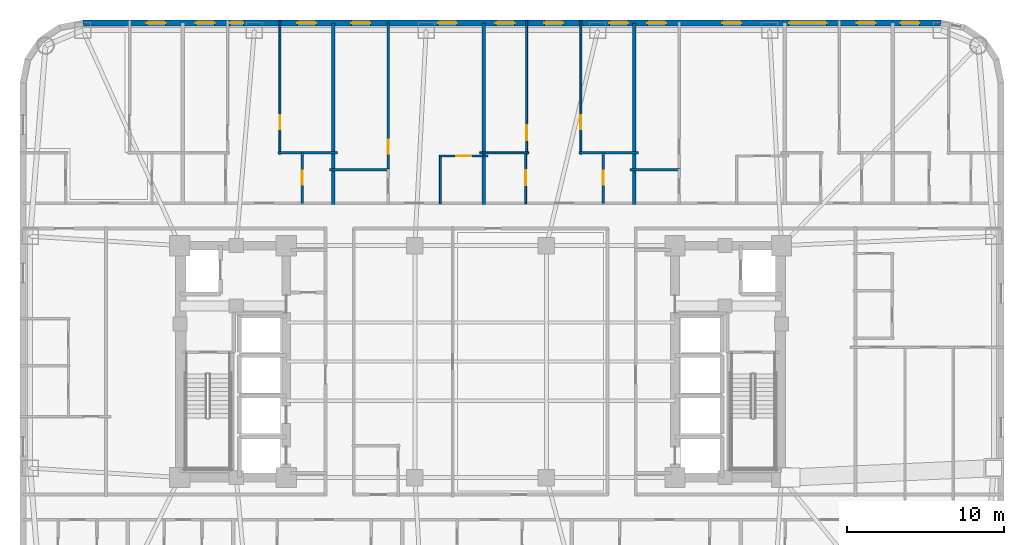
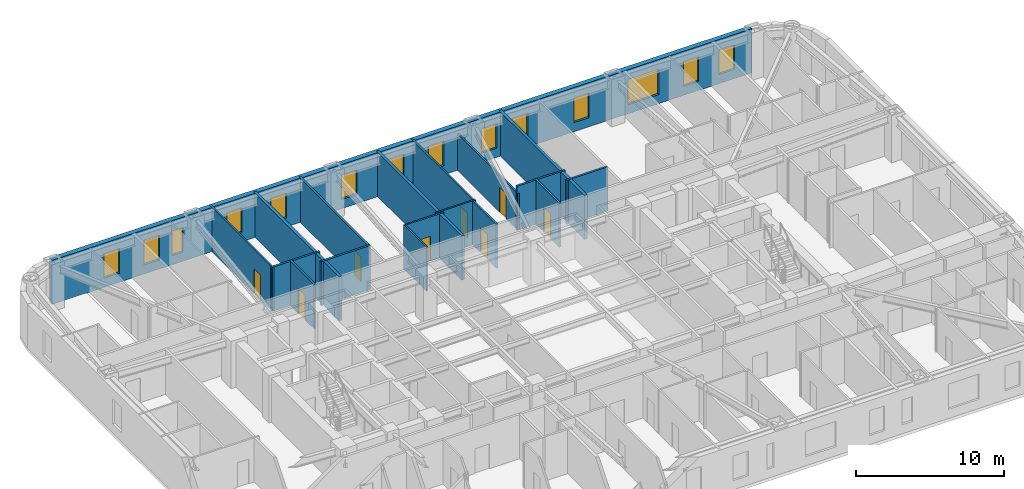
# One storey, part 8 of 12: 18 walls, 14 windows, 8 doors, 22 openings.
"""IFC4 building model written with IfcOpenShell, lengths in metres."""

import ifcopenshell
import ifcopenshell.guid

model = None  # the IFC model being written
_history = None  # IfcOwnerHistory: only IFC2X3 demands one
_inside = {}  # id of a spatial element -> (the spatial element, [elements in it])
_under = {}  # id of a project, library or spatial element -> (it, [spatial elements below it])
_declared = {}  # id of a project -> (the project, [libraries it declares])
_typed = {}  # id of a type object -> (the type object, [elements of that type])
_made_of = {}  # id of a material, layer set ... -> (it, [elements and type objects made of it])


def new_model(schema):
    """Start an empty IFC model of exactly this schema.

    Asked for "IFC4X3", IfcOpenShell would pick the latest addendum, in which some entities
    have other attributes; the version numbers below select the first issue.
    IFC2X3 requires an IfcOwnerHistory on every rooted entity: one is made here for all.
    """
    global model, _history
    if schema == "IFC4X3":
        model = ifcopenshell.file(schema_version=(4, 3, 0, 0))
    else:
        model = ifcopenshell.file(schema=schema)
    _inside.clear()
    _under.clear()
    _declared.clear()
    _typed.clear()
    _made_of.clear()
    _history = None
    if model.schema == "IFC2X3":
        org = make("IfcOrganization", Name="unknown")
        user = make(
            "IfcPersonAndOrganization",
            ThePerson=make("IfcPerson", FamilyName="unknown"),
            TheOrganization=org,
        )
        app = make(
            "IfcApplication",
            ApplicationDeveloper=org,
            Version="unknown",
            ApplicationFullName="unknown",
            ApplicationIdentifier="unknown",
        )
        _history = make(
            "IfcOwnerHistory",
            OwningUser=user,
            OwningApplication=app,
            ChangeAction="ADDED",
            CreationDate=0,
        )
    return model


def make(cls, **values):
    """One entity of the class cls with the attributes given. An attribute that is None is left unset."""
    return model.create_entity(
        cls, **{name: value for name, value in values.items() if value is not None}
    )


def rooted(cls, **values):
    """An entity with a GlobalId (a new one), such as an element, a storey or a relation."""
    return make(cls, GlobalId=ifcopenshell.guid.new(), OwnerHistory=_history, **values)


def si_unit(unit_type, name, prefix=None):
    """IfcSIUnit, for example si_unit("LENGTHUNIT", "METRE", prefix="MILLI")."""
    return make("IfcSIUnit", UnitType=unit_type, Prefix=prefix, Name=name)


def assignment(units):
    """IfcUnitAssignment: the units of a project."""
    return None if units is None else make("IfcUnitAssignment", Units=units)


def point(xyz):
    """IfcCartesianPoint."""
    return None if xyz is None else make("IfcCartesianPoint", Coordinates=xyz)


def direction(xyz):
    """IfcDirection."""
    return None if xyz is None else make("IfcDirection", DirectionRatios=xyz)


def frame(location, z_axis=None, x_axis=None):
    """IfcAxis2Placement3D, a coordinate frame: its origin and axes. An axis left out is left unset."""
    return make(
        "IfcAxis2Placement3D",
        Location=point(location),
        Axis=direction(z_axis),
        RefDirection=direction(x_axis),
    )


def frame_2d(location, x_axis=None):
    """IfcAxis2Placement2D, a coordinate frame in the plane: its origin and x axis."""
    return make(
        "IfcAxis2Placement2D", Location=point(location), RefDirection=direction(x_axis)
    )


def origin():
    """The frame at (0, 0, 0) with its axes left unset."""
    return frame((0.0, 0.0, 0.0))


def place(relative_to, where):
    """IfcLocalPlacement: puts the frame where relative to a parent placement (None: the world)."""
    return make(
        "IfcLocalPlacement", PlacementRelTo=relative_to, RelativePlacement=where
    )


def context(
    kind, dimensions, precision=None, world=None, true_north=None, identifier=None
):
    """IfcGeometricRepresentationContext, for example the 3D "Model" context."""
    return make(
        "IfcGeometricRepresentationContext",
        ContextIdentifier=identifier,
        ContextType=kind,
        CoordinateSpaceDimension=dimensions,
        Precision=precision,
        WorldCoordinateSystem=world,
        TrueNorth=true_north,
    )


def subcontext(parent, identifier, kind, view, scale=None):
    """IfcGeometricRepresentationSubContext, for example "Body" below "Model"."""
    return make(
        "IfcGeometricRepresentationSubContext",
        ContextIdentifier=identifier,
        ContextType=kind,
        ParentContext=parent,
        TargetScale=scale,
        TargetView=view,
    )


def project(units=None, contexts=None):
    """IfcProject with its units and contexts."""
    return rooted(
        "IfcProject",
        Name="project",
        RepresentationContexts=contexts,
        UnitsInContext=assignment(units),
    )


def spatial(cls, under=None, at=None, **own):
    """A site, building, storey or space (cls), placed at a placement, below another one or the project."""
    s = rooted(cls, ObjectPlacement=at, **own)
    if under is not None:
        _under.setdefault(under.id(), (under, []))[1].append(s)
    return s


def profile(cls, at=None, kind="AREA", **sizes):
    """A parametric profile (cls). Its sizes go by their IFC names, for example OverallWidth=200.0."""
    return make(cls, ProfileType=kind, Position=at, **sizes)


def rectangle(**sizes):
    """IfcRectangleProfileDef."""
    return profile("IfcRectangleProfileDef", **sizes)


def extrude(swept, where, along, depth):
    """IfcExtrudedAreaSolid: the profile swept, set in the frame where, extruded along a direction by depth."""
    return make(
        "IfcExtrudedAreaSolid",
        SweptArea=swept,
        Position=where,
        ExtrudedDirection=direction(along),
        Depth=depth,
    )


def shape(context_of_items, identifier, shape_type, items):
    """IfcShapeRepresentation: the items that make up one representation, for example the "Body"."""
    return make(
        "IfcShapeRepresentation",
        ContextOfItems=context_of_items,
        RepresentationIdentifier=identifier,
        RepresentationType=shape_type,
        Items=items,
    )


def material(Name=None, Category=None):
    """IfcMaterial."""
    return make("IfcMaterial", Name=Name, Category=Category)


def layer(
    of_material, thickness, ventilated=None, Name=None, Category=None, Priority=None
):
    """IfcMaterialLayer: one layer of a wall or slab, of a material (None: an air gap)."""
    return make(
        "IfcMaterialLayer",
        Material=of_material,
        LayerThickness=thickness,
        IsVentilated=ventilated,
        Name=Name,
        Category=Category,
        Priority=Priority,
    )


def layer_set(layers, Name=None):
    """IfcMaterialLayerSet."""
    return make("IfcMaterialLayerSet", MaterialLayers=layers, LayerSetName=Name)


def made_of(thing, what):
    """Note that an element or type object is made of a material, layer set ...; save() writes the relation."""
    if what is not None:
        _made_of.setdefault(what.id(), (what, []))[1].append(thing)
    return thing


def type_object(cls, material=None, **own):
    """A type object (cls), such as IfcWallType, which elements share."""
    return made_of(rooted(cls, **own), material)


def element(
    cls,
    number,
    at=None,
    inside=None,
    cuts=None,
    type_object=None,
    material=None,
    context=None,
    identifier="Body",
    shape_type=None,
    held_by="IfcProductDefinitionShape",
    body=None,
    shapes=None,
    **own,
):
    """One element of the class cls, such as IfcWall. Its Tag is "e" and its number.

    at: its placement. inside: the storey or other place that contains it. cuts: it is an
    opening in that element (IfcRelVoidsElement). A single representation is given by context,
    identifier, shape_type and body (its items); several are given by shapes. held_by: the class
    of the entity that holds the representations. save() writes the other relations.
    """
    e = rooted(cls, Tag="e%d" % number, ObjectPlacement=at, **own)
    if body is not None:
        shapes = [shape(context, identifier, shape_type, body)]
    if shapes is not None:
        e.Representation = make(held_by, Representations=shapes)
    if inside is not None:
        _inside.setdefault(inside.id(), (inside, []))[1].append(e)
    if cuts is not None:
        rooted(
            "IfcRelVoidsElement", RelatingBuildingElement=cuts, RelatedOpeningElement=e
        )
    if type_object is not None:
        _typed.setdefault(type_object.id(), (type_object, []))[1].append(e)
    return made_of(e, material)


def fill(opening, filler):
    """IfcRelFillsElement: the door or window that sits in an opening."""
    return rooted(
        "IfcRelFillsElement",
        RelatingOpeningElement=opening,
        RelatedBuildingElement=filler,
    )


def aggregate(whole, parts):
    """IfcRelAggregates: a whole, such as a stair, and the parts it consists of."""
    return rooted("IfcRelAggregates", RelatingObject=whole, RelatedObjects=parts)


def save(model, path):
    """Write the relations noted so far, then the file.

    IfcRelAggregates (storeys below a building ...), IfcRelContainedInSpatialStructure (elements
    in a storey), IfcRelDefinesByType, IfcRelAssociatesMaterial and IfcRelDeclares: one each for
    every whole, place, type object, material and project.
    """
    for whole, parts in _under.values():
        aggregate(whole, parts)
    for where, things in _inside.values():
        rooted(
            "IfcRelContainedInSpatialStructure",
            RelatedElements=things,
            RelatingStructure=where,
        )
    for kind, things in _typed.values():
        rooted("IfcRelDefinesByType", RelatedObjects=things, RelatingType=kind)
    for what, things in _made_of.values():
        rooted("IfcRelAssociatesMaterial", RelatedObjects=things, RelatingMaterial=what)
    for by, libraries in _declared.values():
        rooted("IfcRelDeclares", RelatingContext=by, RelatedDefinitions=libraries)
    model.write(path)


model = new_model("IFC4")

# Units and contexts
model_context = context("Model", 3, precision=1e-05, world=origin(), true_north=direction((0.0, 1.0)))
body_context = subcontext(model_context, "Body", "Model", "MODEL_VIEW")
ifc_project = project(units=[si_unit("LENGTHUNIT", "METRE"), si_unit("AREAUNIT", "SQUARE_METRE"), si_unit("VOLUMEUNIT", "CUBIC_METRE"), si_unit("PLANEANGLEUNIT", "RADIAN"), si_unit("MASSUNIT", "GRAM", prefix="KILO")], contexts=[model_context])

# Site, building, storey
site_placement = place(None, origin())
site = spatial("IfcSite", under=ifc_project, at=site_placement, CompositionType="ELEMENT")
building_placement = place(site_placement, origin())
building = spatial("IfcBuilding", under=site, at=building_placement, Name="Voryun Gate Residences", CompositionType="ELEMENT")
storey_placement = place(building_placement, frame((0.0, 0.0, 101.39990234375)))
storey = spatial("IfcBuildingStorey", under=building, at=storey_placement, Name="L24", CompositionType="ELEMENT", Elevation=101.39990234375)

# Wall, openings, windows
ifc_material_1 = material(Name="Granite masonry", Category="masonry")
ifc_layer_1 = layer(ifc_material_1, 0.3798828125, Name="W_EXT_GRANITE_380")
ifc_layer_set_1 = layer_set([ifc_layer_1], Name="Granite masonry")
wall_type_1 = type_object("IfcWallType", Name="W_EXT_GRANITE_380", PredefinedType="ELEMENTEDWALL", material=ifc_layer_set_1)
wall_1_placement = place(storey_placement, frame((-25.38134765625, 21.610107421875, 0.0), z_axis=(0.0, 0.0, 1.0), x_axis=(1.0, 0.0, 0.0)))
wall_1 = element("IfcWall", 1, at=wall_1_placement, inside=storey, type_object=wall_type_1, Name="Exterior wall WEXT-L24-11", PredefinedType="ELEMENTEDWALL", context=body_context, shape_type="SweptSolid", body=[
    extrude(rectangle(XDim=54.7626953125, YDim=0.3798828125, at=frame_2d((27.38134765625, 0.0))), origin(), (0.0, 0.0, 1.0), 3.650146484375),
])
opening_1_placement = place(wall_1_placement, frame((45.0673828125, 0.0, 0.75)))
opening_1 = element("IfcOpeningElement", 2, at=opening_1_placement, cuts=wall_1, Name="Opening WN2", PredefinedType="OPENING", context=body_context, shape_type="SweptSolid", body=[
    extrude(rectangle(XDim=2.39990234375, YDim=2.10009765625, at=frame_2d((1.199951171875, 1.050048828125))), frame((0.0, 0.199951171875, 0.0), z_axis=(0.0, -1.0, 0.0), x_axis=(1.0, 0.0, 0.0)), (0.0, 0.0, 1.0), 0.39990234375),
])
opening_2_placement = place(wall_1_placement, frame((4.076416015625, 0.0, 0.75)))
opening_2 = element("IfcOpeningElement", 3, at=opening_2_placement, cuts=wall_1, Name="Opening WN6", PredefinedType="OPENING", context=body_context, shape_type="SweptSolid", body=[
    extrude(rectangle(XDim=1.199951171875, YDim=2.050048828125, at=frame_2d((0.60009765625, 1.02490234375))), frame((0.0, 0.199951171875, 0.0), z_axis=(0.0, -1.0, 0.0), x_axis=(1.0, 0.0, 0.0)), (0.0, 0.0, 1.0), 0.39990234375),
])
opening_3_placement = place(wall_1_placement, frame((9.394775390625, 0.0, 0.75)))
opening_3 = element("IfcOpeningElement", 4, at=opening_3_placement, cuts=wall_1, Name="Opening WN9", PredefinedType="OPENING", context=body_context, shape_type="SweptSolid", body=[
    extrude(rectangle(XDim=0.85009765625, YDim=2.050048828125, at=frame_2d((0.425048828125, 1.02490234375))), frame((0.0, 0.199951171875, 0.0), z_axis=(0.0, -1.0, 0.0), x_axis=(1.0, 0.0, 0.0)), (0.0, 0.0, 1.0), 0.39990234375),
])
opening_4_placement = place(wall_1_placement, frame((7.204833984375, 0.0, 0.75)))
opening_4 = element("IfcOpeningElement", 5, at=opening_4_placement, cuts=wall_1, Name="Opening WN6", PredefinedType="OPENING", context=body_context, shape_type="SweptSolid", body=[
    extrude(rectangle(XDim=1.199951171875, YDim=2.050048828125, at=frame_2d((0.60009765625, 1.02490234375))), frame((0.0, 0.199951171875, 0.0), z_axis=(0.0, -1.0, 0.0), x_axis=(1.0, 0.0, 0.0)), (0.0, 0.0, 1.0), 0.39990234375),
])
opening_5_placement = place(wall_1_placement, frame((13.67626953125, 0.0, 0.75)))
opening_5 = element("IfcOpeningElement", 6, at=opening_5_placement, cuts=wall_1, Name="Opening WN6", PredefinedType="OPENING", context=body_context, shape_type="SweptSolid", body=[
    extrude(rectangle(XDim=1.199951171875, YDim=2.050048828125, at=frame_2d((0.60009765625, 1.02490234375))), frame((0.0, 0.199951171875, 0.0), z_axis=(0.0, -1.0, 0.0), x_axis=(1.0, 0.0, 0.0)), (0.0, 0.0, 1.0), 0.39990234375),
])
opening_6_placement = place(wall_1_placement, frame((17.13623046875, 0.0, 0.75)))
opening_6 = element("IfcOpeningElement", 7, at=opening_6_placement, cuts=wall_1, Name="Opening WN6", PredefinedType="OPENING", context=body_context, shape_type="SweptSolid", body=[
    extrude(rectangle(XDim=1.199951171875, YDim=2.050048828125, at=frame_2d((0.60009765625, 1.02490234375))), frame((0.0, 0.199951171875, 0.0), z_axis=(0.0, -1.0, 0.0), x_axis=(1.0, 0.0, 0.0)), (0.0, 0.0, 1.0), 0.39990234375),
])
opening_7_placement = place(wall_1_placement, frame((22.65625, 0.0, 0.75)))
opening_7 = element("IfcOpeningElement", 8, at=opening_7_placement, cuts=wall_1, Name="Opening WN6", PredefinedType="OPENING", context=body_context, shape_type="SweptSolid", body=[
    extrude(rectangle(XDim=1.199951171875, YDim=2.050048828125, at=frame_2d((0.60009765625, 1.02490234375))), frame((0.0, 0.199951171875, 0.0), z_axis=(0.0, -1.0, 0.0), x_axis=(1.0, 0.0, 0.0)), (0.0, 0.0, 1.0), 0.39990234375),
])
opening_8_placement = place(wall_1_placement, frame((29.44287109375, 0.0, 0.75)))
opening_8 = element("IfcOpeningElement", 9, at=opening_8_placement, cuts=wall_1, Name="Opening WN6", PredefinedType="OPENING", context=body_context, shape_type="SweptSolid", body=[
    extrude(rectangle(XDim=1.199951171875, YDim=2.050048828125, at=frame_2d((0.60009765625, 1.02490234375))), frame((0.0, 0.199951171875, 0.0), z_axis=(0.0, -1.0, 0.0), x_axis=(1.0, 0.0, 0.0)), (0.0, 0.0, 1.0), 0.39990234375),
])
opening_9_placement = place(wall_1_placement, frame((26.347900390625, 0.0, 0.75)))
opening_9 = element("IfcOpeningElement", 10, at=opening_9_placement, cuts=wall_1, Name="Opening WN6", PredefinedType="OPENING", context=body_context, shape_type="SweptSolid", body=[
    extrude(rectangle(XDim=1.199951171875, YDim=2.050048828125, at=frame_2d((0.60009765625, 1.02490234375))), frame((0.0, 0.199951171875, 0.0), z_axis=(0.0, -1.0, 0.0), x_axis=(1.0, 0.0, 0.0)), (0.0, 0.0, 1.0), 0.39990234375),
])
opening_10_placement = place(wall_1_placement, frame((33.59619140625, 0.0, 0.75)))
opening_10 = element("IfcOpeningElement", 11, at=opening_10_placement, cuts=wall_1, Name="Opening WN6", PredefinedType="OPENING", context=body_context, shape_type="SweptSolid", body=[
    extrude(rectangle(XDim=1.199951171875, YDim=2.050048828125, at=frame_2d((0.60009765625, 1.02490234375))), frame((0.0, 0.199951171875, 0.0), z_axis=(0.0, -1.0, 0.0), x_axis=(1.0, 0.0, 0.0)), (0.0, 0.0, 1.0), 0.39990234375),
])
opening_11_placement = place(wall_1_placement, frame((36.014404296875, 0.0, 0.75)))
opening_11 = element("IfcOpeningElement", 12, at=opening_11_placement, cuts=wall_1, Name="Opening WN6", PredefinedType="OPENING", context=body_context, shape_type="SweptSolid", body=[
    extrude(rectangle(XDim=1.199951171875, YDim=2.050048828125, at=frame_2d((0.60009765625, 1.02490234375))), frame((0.0, 0.199951171875, 0.0), z_axis=(0.0, -1.0, 0.0), x_axis=(1.0, 0.0, 0.0)), (0.0, 0.0, 1.0), 0.39990234375),
])
opening_12_placement = place(wall_1_placement, frame((40.814208984375, 0.0, 0.75)))
opening_12 = element("IfcOpeningElement", 13, at=opening_12_placement, cuts=wall_1, Name="Opening WN6", PredefinedType="OPENING", context=body_context, shape_type="SweptSolid", body=[
    extrude(rectangle(XDim=1.199951171875, YDim=2.050048828125, at=frame_2d((0.60009765625, 1.02490234375))), frame((0.0, 0.199951171875, 0.0), z_axis=(0.0, -1.0, 0.0), x_axis=(1.0, 0.0, 0.0)), (0.0, 0.0, 1.0), 0.39990234375),
])
opening_13_placement = place(wall_1_placement, frame((49.38525390625, 0.0, 0.75)))
opening_13 = element("IfcOpeningElement", 14, at=opening_13_placement, cuts=wall_1, Name="Opening WN6", PredefinedType="OPENING", context=body_context, shape_type="SweptSolid", body=[
    extrude(rectangle(XDim=1.199951171875, YDim=2.050048828125, at=frame_2d((0.60009765625, 1.02490234375))), frame((0.0, 0.199951171875, 0.0), z_axis=(0.0, -1.0, 0.0), x_axis=(1.0, 0.0, 0.0)), (0.0, 0.0, 1.0), 0.39990234375),
])
opening_14_placement = place(wall_1_placement, frame((52.181396484375, 0.0, 0.75)))
opening_14 = element("IfcOpeningElement", 15, at=opening_14_placement, cuts=wall_1, Name="Opening WN6", PredefinedType="OPENING", context=body_context, shape_type="SweptSolid", body=[
    extrude(rectangle(XDim=1.199951171875, YDim=2.050048828125, at=frame_2d((0.60009765625, 1.02490234375))), frame((0.0, 0.199951171875, 0.0), z_axis=(0.0, -1.0, 0.0), x_axis=(1.0, 0.0, 0.0)), (0.0, 0.0, 1.0), 0.39990234375),
])
ifc_material_2 = material(Name="Laminated low-E glass", Category="glass")
window_type_1 = type_object("IfcWindowType", Name="WN_POD_SLOT_1200", PartitioningType="SINGLE_PANEL", PredefinedType="WINDOW", material=ifc_material_2)
window_1_placement = place(opening_2_placement, origin())
window_1 = element("IfcWindow", 16, at=window_1_placement, inside=storey, type_object=window_type_1, Name="Window WN-L24-DWFIX-02", OverallHeight=2.050048828125, OverallWidth=1.199951171875, PartitioningType="SINGLE_PANEL", PredefinedType="WINDOW", context=body_context, shape_type="SweptSolid", body=[
    extrude(rectangle(XDim=1.199951171875, YDim=2.050048828125, at=frame_2d((0.60009765625, 1.02490234375))), frame((0.0, 0.030029296875, 0.0), z_axis=(0.0, -1.0, 0.0), x_axis=(1.0, 0.0, 0.0)), (0.0, 0.0, 1.0), 0.06005859375),
])
fill(opening_2, window_1)
window_2_placement = place(opening_4_placement, origin())
window_2 = element("IfcWindow", 17, at=window_2_placement, inside=storey, type_object=window_type_1, Name="Window WN-L24-DWFIX-04", OverallHeight=2.050048828125, OverallWidth=1.199951171875, PartitioningType="SINGLE_PANEL", PredefinedType="WINDOW", context=body_context, shape_type="SweptSolid", body=[
    extrude(rectangle(XDim=1.199951171875, YDim=2.050048828125, at=frame_2d((0.60009765625, 1.02490234375))), frame((0.0, 0.030029296875, 0.0), z_axis=(0.0, -1.0, 0.0), x_axis=(1.0, 0.0, 0.0)), (0.0, 0.0, 1.0), 0.06005859375),
])
fill(opening_4, window_2)
window_3_placement = place(opening_5_placement, origin())
window_3 = element("IfcWindow", 18, at=window_3_placement, inside=storey, type_object=window_type_1, Name="Window WN-L24-DWFIX-05", OverallHeight=2.050048828125, OverallWidth=1.199951171875, PartitioningType="SINGLE_PANEL", PredefinedType="WINDOW", context=body_context, shape_type="SweptSolid", body=[
    extrude(rectangle(XDim=1.199951171875, YDim=2.050048828125, at=frame_2d((0.60009765625, 1.02490234375))), frame((0.0, 0.030029296875, 0.0), z_axis=(0.0, -1.0, 0.0), x_axis=(1.0, 0.0, 0.0)), (0.0, 0.0, 1.0), 0.06005859375),
])
fill(opening_5, window_3)
window_4_placement = place(opening_6_placement, origin())
window_4 = element("IfcWindow", 19, at=window_4_placement, inside=storey, type_object=window_type_1, Name="Window WN-L24-DWFIX-06", OverallHeight=2.050048828125, OverallWidth=1.199951171875, PartitioningType="SINGLE_PANEL", PredefinedType="WINDOW", context=body_context, shape_type="SweptSolid", body=[
    extrude(rectangle(XDim=1.199951171875, YDim=2.050048828125, at=frame_2d((0.60009765625, 1.02490234375))), frame((0.0, 0.030029296875, 0.0), z_axis=(0.0, -1.0, 0.0), x_axis=(1.0, 0.0, 0.0)), (0.0, 0.0, 1.0), 0.06005859375),
])
fill(opening_6, window_4)
window_5_placement = place(opening_7_placement, origin())
window_5 = element("IfcWindow", 20, at=window_5_placement, inside=storey, type_object=window_type_1, Name="Window WN-L24-DWFIX-07", OverallHeight=2.050048828125, OverallWidth=1.199951171875, PartitioningType="SINGLE_PANEL", PredefinedType="WINDOW", context=body_context, shape_type="SweptSolid", body=[
    extrude(rectangle(XDim=1.199951171875, YDim=2.050048828125, at=frame_2d((0.60009765625, 1.02490234375))), frame((0.0, 0.030029296875, 0.0), z_axis=(0.0, -1.0, 0.0), x_axis=(1.0, 0.0, 0.0)), (0.0, 0.0, 1.0), 0.06005859375),
])
fill(opening_7, window_5)
window_6_placement = place(opening_8_placement, origin())
window_6 = element("IfcWindow", 21, at=window_6_placement, inside=storey, type_object=window_type_1, Name="Window WN-L24-DWFIX-08", OverallHeight=2.050048828125, OverallWidth=1.199951171875, PartitioningType="SINGLE_PANEL", PredefinedType="WINDOW", context=body_context, shape_type="SweptSolid", body=[
    extrude(rectangle(XDim=1.199951171875, YDim=2.050048828125, at=frame_2d((0.60009765625, 1.02490234375))), frame((0.0, 0.030029296875, 0.0), z_axis=(0.0, -1.0, 0.0), x_axis=(1.0, 0.0, 0.0)), (0.0, 0.0, 1.0), 0.06005859375),
])
fill(opening_8, window_6)
window_7_placement = place(opening_9_placement, origin())
window_7 = element("IfcWindow", 22, at=window_7_placement, inside=storey, type_object=window_type_1, Name="Window WN-L24-DWFIX-09", OverallHeight=2.050048828125, OverallWidth=1.199951171875, PartitioningType="SINGLE_PANEL", PredefinedType="WINDOW", context=body_context, shape_type="SweptSolid", body=[
    extrude(rectangle(XDim=1.199951171875, YDim=2.050048828125, at=frame_2d((0.60009765625, 1.02490234375))), frame((0.0, 0.030029296875, 0.0), z_axis=(0.0, -1.0, 0.0), x_axis=(1.0, 0.0, 0.0)), (0.0, 0.0, 1.0), 0.06005859375),
])
fill(opening_9, window_7)
window_8_placement = place(opening_10_placement, origin())
window_8 = element("IfcWindow", 23, at=window_8_placement, inside=storey, type_object=window_type_1, Name="Window WN-L24-DWFIX-10", OverallHeight=2.050048828125, OverallWidth=1.199951171875, PartitioningType="SINGLE_PANEL", PredefinedType="WINDOW", context=body_context, shape_type="SweptSolid", body=[
    extrude(rectangle(XDim=1.199951171875, YDim=2.050048828125, at=frame_2d((0.60009765625, 1.02490234375))), frame((0.0, 0.030029296875, 0.0), z_axis=(0.0, -1.0, 0.0), x_axis=(1.0, 0.0, 0.0)), (0.0, 0.0, 1.0), 0.06005859375),
])
fill(opening_10, window_8)
window_9_placement = place(opening_11_placement, origin())
window_9 = element("IfcWindow", 24, at=window_9_placement, inside=storey, type_object=window_type_1, Name="Window WN-L24-DWFIX-11", OverallHeight=2.050048828125, OverallWidth=1.199951171875, PartitioningType="SINGLE_PANEL", PredefinedType="WINDOW", context=body_context, shape_type="SweptSolid", body=[
    extrude(rectangle(XDim=1.199951171875, YDim=2.050048828125, at=frame_2d((0.60009765625, 1.02490234375))), frame((0.0, 0.030029296875, 0.0), z_axis=(0.0, -1.0, 0.0), x_axis=(1.0, 0.0, 0.0)), (0.0, 0.0, 1.0), 0.06005859375),
])
fill(opening_11, window_9)
window_10_placement = place(opening_12_placement, origin())
window_10 = element("IfcWindow", 25, at=window_10_placement, inside=storey, type_object=window_type_1, Name="Window WN-L24-DWFIX-12", OverallHeight=2.050048828125, OverallWidth=1.199951171875, PartitioningType="SINGLE_PANEL", PredefinedType="WINDOW", context=body_context, shape_type="SweptSolid", body=[
    extrude(rectangle(XDim=1.199951171875, YDim=2.050048828125, at=frame_2d((0.60009765625, 1.02490234375))), frame((0.0, 0.030029296875, 0.0), z_axis=(0.0, -1.0, 0.0), x_axis=(1.0, 0.0, 0.0)), (0.0, 0.0, 1.0), 0.06005859375),
])
fill(opening_12, window_10)
window_11_placement = place(opening_13_placement, origin())
window_11 = element("IfcWindow", 26, at=window_11_placement, inside=storey, type_object=window_type_1, Name="Window WN-L24-DWFIX-13", OverallHeight=2.050048828125, OverallWidth=1.199951171875, PartitioningType="SINGLE_PANEL", PredefinedType="WINDOW", context=body_context, shape_type="SweptSolid", body=[
    extrude(rectangle(XDim=1.199951171875, YDim=2.050048828125, at=frame_2d((0.60009765625, 1.02490234375))), frame((0.0, 0.030029296875, 0.0), z_axis=(0.0, -1.0, 0.0), x_axis=(1.0, 0.0, 0.0)), (0.0, 0.0, 1.0), 0.06005859375),
])
fill(opening_13, window_11)
window_12_placement = place(opening_14_placement, origin())
window_12 = element("IfcWindow", 27, at=window_12_placement, inside=storey, type_object=window_type_1, Name="Window WN-L24-DWFIX-14", OverallHeight=2.050048828125, OverallWidth=1.199951171875, PartitioningType="SINGLE_PANEL", PredefinedType="WINDOW", context=body_context, shape_type="SweptSolid", body=[
    extrude(rectangle(XDim=1.199951171875, YDim=2.050048828125, at=frame_2d((0.60009765625, 1.02490234375))), frame((0.0, 0.030029296875, 0.0), z_axis=(0.0, -1.0, 0.0), x_axis=(1.0, 0.0, 0.0)), (0.0, 0.0, 1.0), 0.06005859375),
])
fill(opening_14, window_12)
ifc_material_3 = material(Name="Laminated low-E glass", Category="glass")
window_type_2 = type_object("IfcWindowType", Name="WN_RES_CASEMENT_850", PartitioningType="SINGLE_PANEL", PredefinedType="WINDOW", material=ifc_material_3)
window_13_placement = place(opening_3_placement, origin())
window_13 = element("IfcWindow", 28, at=window_13_placement, inside=storey, type_object=window_type_2, Name="Window WN-L24-DWFIX-03", OverallHeight=2.050048828125, OverallWidth=0.85009765625, PartitioningType="SINGLE_PANEL", PredefinedType="WINDOW", context=body_context, shape_type="SweptSolid", body=[
    extrude(rectangle(XDim=0.85009765625, YDim=2.050048828125, at=frame_2d((0.425048828125, 1.02490234375))), frame((0.0, 0.030029296875, 0.0), z_axis=(0.0, -1.0, 0.0), x_axis=(1.0, 0.0, 0.0)), (0.0, 0.0, 1.0), 0.06005859375),
])
fill(opening_3, window_13)
ifc_material_4 = material(Name="Laminated low-E glass", Category="glass")
window_type_3 = type_object("IfcWindowType", Name="WN_RES_WIDE_2400", PartitioningType="SINGLE_PANEL", PredefinedType="WINDOW", material=ifc_material_4)
window_14_placement = place(opening_1_placement, origin())
window_14 = element("IfcWindow", 29, at=window_14_placement, inside=storey, type_object=window_type_3, Name="Window WN-WEXT-L24-11-04", OverallHeight=2.10009765625, OverallWidth=2.39990234375, PartitioningType="SINGLE_PANEL", PredefinedType="WINDOW", context=body_context, shape_type="SweptSolid", body=[
    extrude(rectangle(XDim=2.39990234375, YDim=2.10009765625, at=frame_2d((1.199951171875, 1.050048828125))), frame((0.0, 0.030029296875, 0.0), z_axis=(0.0, -1.0, 0.0), x_axis=(1.0, 0.0, 0.0)), (0.0, 0.0, 1.0), 0.06005859375),
])
fill(opening_1, window_14)

# Walls
ifc_material_5 = material(Name="Concrete C40/50", Category="concrete")
ifc_layer_2 = layer(ifc_material_5, 0.219970703125, Name="W_PARTY_ACOUSTIC_220")
ifc_layer_set_2 = layer_set([ifc_layer_2], Name="Concrete C40/50")
wall_type_2 = type_object("IfcWallType", Name="W_PARTY_ACOUSTIC_220", PredefinedType="PARTITIONING", material=ifc_layer_set_2)
for number, where, z_axis, x_axis, name in (
    (30, (-9.39990234375, 10.02001953125, 0.0), (0.0, 0.0, 1.0), (0.0, 1.0, 0.0), "Partition wall WP-L24-NPTY-2"),
    (31, (0.199951171875, 10.02001953125, 0.0), (0.0, 0.0, 1.0), (0.0, 1.0, 0.0), "Partition wall WP-L24-NPTY-3"),
    (32, (9.800048828125, 10.02001953125, 0.0), (0.0, 0.0, 1.0), (0.0, 1.0, 0.0), "Partition wall WP-L24-NPTY-4"),
):
    element("IfcWall", number, at=place(storey_placement, frame(where, z_axis=z_axis, x_axis=x_axis)), inside=storey, type_object=wall_type_2, Name=name, PredefinedType="PARTITIONING", context=body_context, shape_type="SweptSolid", body=[
        extrude(rectangle(XDim=11.590087890625, YDim=0.219970703125, at=frame_2d((5.794921875, 0.0))), origin(), (0.0, 0.0, 1.0), 3.650146484375),
    ])

# Wall, opening, door
ifc_material_6 = material(Name="Gypsum acoustic partition")
ifc_layer_3 = layer(ifc_material_6, 0.125, Name="W_UNIT_PART_125")
ifc_layer_set_3 = layer_set([ifc_layer_3], Name="Gypsum acoustic partition")
wall_type_3 = type_object("IfcWallType", Name="W_UNIT_PART_125", PredefinedType="PARTITIONING", material=ifc_layer_set_3)
wall_2_placement = place(storey_placement, frame((-12.81005859375, 13.239990234375, 0.0), z_axis=(0.0, 0.0, 1.0), x_axis=(0.0, 1.0, 0.0)))
wall_2 = element("IfcWall", 33, at=wall_2_placement, inside=storey, type_object=wall_type_3, Name="Partition wall WP-L24-N2-OVR", PredefinedType="PARTITIONING", context=body_context, shape_type="SweptSolid", body=[
    extrude(rectangle(XDim=8.52001953125, YDim=0.125, at=frame_2d((4.260009765625, 0.0))), origin(), (0.0, 0.0, 1.0), 3.650146484375),
])
opening_15_placement = place(wall_2_placement, frame((1.5947265625, 0.0, 0.0)))
opening_15 = element("IfcOpeningElement", 34, at=opening_15_placement, cuts=wall_2, Name="Opening D-INT-2", PredefinedType="OPENING", context=body_context, shape_type="SweptSolid", body=[
    extrude(rectangle(XDim=0.89990234375, YDim=2.050048828125, at=frame_2d((0.449951171875, 1.02490234375))), frame((0.0, 0.072509765625, 0.0), z_axis=(0.0, -1.0, 0.0), x_axis=(1.0, 0.0, 0.0)), (0.0, 0.0, 1.0), 0.14501953125),
])
ifc_material_7 = material(Name="Architectural oak veneer")
door_type_1 = type_object("IfcDoorType", Name="DR_INT_BATH_900", OperationType="NOTDEFINED", PredefinedType="DOOR", material=ifc_material_7)
door_1_placement = place(opening_15_placement, origin())
door_1 = element("IfcDoor", 35, at=door_1_placement, inside=storey, type_object=door_type_1, Name="Door DR-L24-N2-DMB", OperationType="SINGLE_SWING_RIGHT", OverallHeight=2.050048828125, OverallWidth=0.89990234375, PredefinedType="DOOR", context=body_context, shape_type="SweptSolid", body=[
    extrude(rectangle(XDim=0.89990234375, YDim=2.050048828125, at=frame_2d((0.449951171875, 1.02490234375))), frame((0.0, 0.02490234375, 0.0), z_axis=(0.0, -1.0, 0.0), x_axis=(1.0, 0.0, 0.0)), (0.0, 0.0, 1.0), 0.050048828125),
])
fill(opening_15, door_1)

wall_3_placement = place(storey_placement, frame((-2.633056640625, 13.1201171875, 0.0), z_axis=(0.0, 0.0, 1.0), x_axis=(1.0, 0.0, 0.0)))
wall_3 = element("IfcWall", 36, at=wall_3_placement, inside=storey, type_object=wall_type_3, Name="Partition wall WP-L24-N3-KHY", PredefinedType="PARTITIONING", context=body_context, shape_type="SweptSolid", body=[
    extrude(rectangle(XDim=3.093017578125, YDim=0.125, at=frame_2d((1.54638671875, 0.0))), origin(), (0.0, 0.0, 1.0), 3.650146484375),
])
opening_16_placement = place(wall_3_placement, frame((1.071533203125, 0.0, 0.0)))
opening_16 = element("IfcOpeningElement", 37, at=opening_16_placement, cuts=wall_3, Name="Opening D-INT-1", PredefinedType="OPENING", context=body_context, shape_type="SweptSolid", body=[
    extrude(rectangle(XDim=0.949951171875, YDim=2.050048828125, at=frame_2d((0.47509765625, 1.02490234375))), frame((0.0, 0.072509765625, 0.0), z_axis=(0.0, -1.0, 0.0), x_axis=(1.0, 0.0, 0.0)), (0.0, 0.0, 1.0), 0.14501953125),
])
ifc_material_8 = material(Name="Architectural oak veneer")
door_type_2 = type_object("IfcDoorType", Name="DR_INT_ROOM_950", OperationType="NOTDEFINED", PredefinedType="DOOR", material=ifc_material_8)
door_2_placement = place(opening_16_placement, origin())
door_2 = element("IfcDoor", 38, at=door_2_placement, inside=storey, type_object=door_type_2, Name="Door DR-L24-N3-DK", OperationType="SINGLE_SWING_LEFT", OverallHeight=2.050048828125, OverallWidth=0.949951171875, PredefinedType="DOOR", context=body_context, shape_type="SweptSolid", body=[
    extrude(rectangle(XDim=0.949951171875, YDim=2.050048828125, at=frame_2d((0.47509765625, 1.02490234375))), frame((0.0, 0.02490234375, 0.0), z_axis=(0.0, -1.0, 0.0), x_axis=(1.0, 0.0, 0.0)), (0.0, 0.0, 1.0), 0.050048828125),
])
fill(opening_16, door_2)

# Wall
wall_4_placement = place(storey_placement, frame((-2.572998046875, 10.080078125, 0.0), z_axis=(0.0, 0.0, 1.0), x_axis=(0.0, 1.0, 0.0)))
element("IfcWall", 39, at=wall_4_placement, inside=storey, type_object=wall_type_3, Name="Partition wall WP-L24-N3-KVX", PredefinedType="PARTITIONING", context=body_context, shape_type="SweptSolid", body=[
    extrude(rectangle(XDim=3.099853515625, YDim=0.125, at=frame_2d((1.5498046875, 0.0))), origin(), (0.0, 0.0, 1.0), 3.650146484375),
])

# Wall, opening, door
wall_5_placement = place(storey_placement, frame((2.93310546875, 13.239990234375, 0.0), z_axis=(0.0, 0.0, 1.0), x_axis=(0.0, 1.0, 0.0)))
wall_5 = element("IfcWall", 40, at=wall_5_placement, inside=storey, type_object=wall_type_3, Name="Partition wall WP-L24-N4-OVL", PredefinedType="PARTITIONING", context=body_context, shape_type="SweptSolid", body=[
    extrude(rectangle(XDim=8.52001953125, YDim=0.125, at=frame_2d((4.260009765625, 0.0))), origin(), (0.0, 0.0, 1.0), 3.650146484375),
])
opening_17_placement = place(wall_5_placement, frame((0.88818359375, 0.0, 0.0)))
opening_17 = element("IfcOpeningElement", 41, at=opening_17_placement, cuts=wall_5, Name="Opening D-INT-1", PredefinedType="OPENING", context=body_context, shape_type="SweptSolid", body=[
    extrude(rectangle(XDim=0.949951171875, YDim=2.050048828125, at=frame_2d((0.47509765625, 1.02490234375))), frame((0.0, 0.072509765625, 0.0), z_axis=(0.0, -1.0, 0.0), x_axis=(1.0, 0.0, 0.0)), (0.0, 0.0, 1.0), 0.14501953125),
])
door_3_placement = place(opening_17_placement, origin())
door_3 = element("IfcDoor", 42, at=door_3_placement, inside=storey, type_object=door_type_2, Name="Door DR-L24-N4-DB2", OperationType="SINGLE_SWING_LEFT", OverallHeight=2.050048828125, OverallWidth=0.949951171875, PredefinedType="DOOR", context=body_context, shape_type="SweptSolid", body=[
    extrude(rectangle(XDim=0.949951171875, YDim=2.050048828125, at=frame_2d((0.47509765625, 1.02490234375))), frame((0.0, 0.02490234375, 0.0), z_axis=(0.0, -1.0, 0.0), x_axis=(1.0, 0.0, 0.0)), (0.0, 0.0, 1.0), 0.050048828125),
])
fill(opening_17, door_3)

wall_6_placement = place(storey_placement, frame((6.389892578125, 13.239990234375, 0.0), z_axis=(0.0, 0.0, 1.0), x_axis=(0.0, 1.0, 0.0)))
wall_6 = element("IfcWall", 43, at=wall_6_placement, inside=storey, type_object=wall_type_3, Name="Partition wall WP-L24-N4-OVR", PredefinedType="PARTITIONING", context=body_context, shape_type="SweptSolid", body=[
    extrude(rectangle(XDim=8.52001953125, YDim=0.125, at=frame_2d((4.260009765625, 0.0))), origin(), (0.0, 0.0, 1.0), 3.0400390625),
])
opening_18_placement = place(wall_6_placement, frame((1.5947265625, 0.0, 0.0)))
opening_18 = element("IfcOpeningElement", 44, at=opening_18_placement, cuts=wall_6, Name="Opening D-INT-2", PredefinedType="OPENING", context=body_context, shape_type="SweptSolid", body=[
    extrude(rectangle(XDim=0.89990234375, YDim=2.050048828125, at=frame_2d((0.449951171875, 1.02490234375))), frame((0.0, 0.072509765625, 0.0), z_axis=(0.0, -1.0, 0.0), x_axis=(1.0, 0.0, 0.0)), (0.0, 0.0, 1.0), 0.14501953125),
])
door_4_placement = place(opening_18_placement, origin())
door_4 = element("IfcDoor", 45, at=door_4_placement, inside=storey, type_object=door_type_1, Name="Door DR-L24-N4-DMB", OperationType="SINGLE_SWING_RIGHT", OverallHeight=2.050048828125, OverallWidth=0.89990234375, PredefinedType="DOOR", context=body_context, shape_type="SweptSolid", body=[
    extrude(rectangle(XDim=0.89990234375, YDim=2.050048828125, at=frame_2d((0.449951171875, 1.02490234375))), frame((0.0, 0.02490234375, 0.0), z_axis=(0.0, -1.0, 0.0), x_axis=(1.0, 0.0, 0.0)), (0.0, 0.0, 1.0), 0.050048828125),
])
fill(opening_18, door_4)

wall_7_placement = place(storey_placement, frame((2.8759765625, 10.080078125, 0.0), z_axis=(0.0, 0.0, 1.0), x_axis=(0.0, 1.0, 0.0)))
wall_7 = element("IfcWall", 46, at=wall_7_placement, inside=storey, type_object=wall_type_3, Name="Partition wall WP-L24-N4-IVK", PredefinedType="PARTITIONING", context=body_context, shape_type="SweptSolid", body=[
    extrude(rectangle(XDim=3.31982421875, YDim=0.125, at=frame_2d((1.659912109375, 0.0))), origin(), (0.0, 0.0, 1.0), 3.650146484375),
])
opening_19_placement = place(wall_7_placement, frame((1.18505859375, 0.0, 0.0)))
opening_19 = element("IfcOpeningElement", 47, at=opening_19_placement, cuts=wall_7, Name="Opening D-INT-1", PredefinedType="OPENING", context=body_context, shape_type="SweptSolid", body=[
    extrude(rectangle(XDim=0.949951171875, YDim=2.050048828125, at=frame_2d((0.47509765625, 1.02490234375))), frame((0.0, 0.072509765625, 0.0), z_axis=(0.0, -1.0, 0.0), x_axis=(1.0, 0.0, 0.0)), (0.0, 0.0, 1.0), 0.14501953125),
])
door_5_placement = place(opening_19_placement, origin())
door_5 = element("IfcDoor", 48, at=door_5_placement, inside=storey, type_object=door_type_2, Name="Door DR-L24-N4-DK", OperationType="SINGLE_SWING_LEFT", OverallHeight=2.050048828125, OverallWidth=0.949951171875, PredefinedType="DOOR", context=body_context, shape_type="SweptSolid", body=[
    extrude(rectangle(XDim=0.949951171875, YDim=2.050048828125, at=frame_2d((0.47509765625, 1.02490234375))), frame((0.0, 0.02490234375, 0.0), z_axis=(0.0, -1.0, 0.0), x_axis=(1.0, 0.0, 0.0)), (0.0, 0.0, 1.0), 0.050048828125),
])
fill(opening_19, door_5)

# Walls
wall_8_placement = place(storey_placement, frame((-0.06005859375, 13.320068359375, 0.0), z_axis=(0.0, 0.0, 1.0), x_axis=(1.0, 0.0, 0.0)))
element("IfcWall", 49, at=wall_8_placement, inside=storey, type_object=wall_type_3, Name="Partition wall WP-L24-N4-HZK", PredefinedType="PARTITIONING", context=body_context, shape_type="SweptSolid", body=[
    extrude(rectangle(XDim=3.113037109375, YDim=0.125, at=frame_2d((1.556640625, 0.0))), origin(), (0.0, 0.0, 1.0), 3.650146484375),
])
ifc_material_9 = material(Name="Gypsum moisture-resistant partition")
ifc_layer_4 = layer(ifc_material_9, 0.14990234375, Name="W_WET_PLUMB_150")
ifc_layer_set_4 = layer_set([ifc_layer_4], Name="Gypsum moisture-resistant partition")
wall_type_4 = type_object("IfcWallType", Name="W_WET_PLUMB_150", PredefinedType="PLUMBINGWALL", material=ifc_layer_set_4)
wall_9_placement = place(storey_placement, frame((-12.929931640625, 13.320068359375, 0.0), z_axis=(0.0, 0.0, 1.0), x_axis=(1.0, 0.0, 0.0)))
element("IfcWall", 50, at=wall_9_placement, inside=storey, type_object=wall_type_4, Name="Partition wall WP-L24-N2-HZB", PredefinedType="PLUMBINGWALL", context=body_context, shape_type="SweptSolid", body=[
    extrude(rectangle(XDim=3.7900390625, YDim=0.14990234375, at=frame_2d((1.89501953125, 0.0))), origin(), (0.0, 0.0, 1.0), 3.650146484375),
])

# Wall, opening, door
wall_10_placement = place(storey_placement, frame((-11.3798828125, 10.080078125, 0.0), z_axis=(0.0, 0.0, 1.0), x_axis=(0.0, 1.0, 0.0)))
wall_10 = element("IfcWall", 51, at=wall_10_placement, inside=storey, type_object=wall_type_4, Name="Partition wall WP-L24-N2-IVB", PredefinedType="PLUMBINGWALL", context=body_context, shape_type="SweptSolid", body=[
    extrude(rectangle(XDim=3.31982421875, YDim=0.14990234375, at=frame_2d((1.659912109375, 0.0))), origin(), (0.0, 0.0, 1.0), 3.650146484375),
])
opening_20_placement = place(wall_10_placement, frame((1.2099609375, 0.0, 0.0)))
opening_20 = element("IfcOpeningElement", 52, at=opening_20_placement, cuts=wall_10, Name="Opening D-INT-2", PredefinedType="OPENING", context=body_context, shape_type="SweptSolid", body=[
    extrude(rectangle(XDim=0.89990234375, YDim=2.050048828125, at=frame_2d((0.449951171875, 1.02490234375))), frame((0.0, 0.0849609375, 0.0), z_axis=(0.0, -1.0, 0.0), x_axis=(1.0, 0.0, 0.0)), (0.0, 0.0, 1.0), 0.169921875),
])
door_6_placement = place(opening_20_placement, origin())
door_6 = element("IfcDoor", 53, at=door_6_placement, inside=storey, type_object=door_type_1, Name="Door DR-L24-N2-DB", OperationType="SINGLE_SWING_RIGHT", OverallHeight=2.050048828125, OverallWidth=0.89990234375, PredefinedType="DOOR", context=body_context, shape_type="SweptSolid", body=[
    extrude(rectangle(XDim=0.89990234375, YDim=2.050048828125, at=frame_2d((0.449951171875, 1.02490234375))), frame((0.0, 0.02490234375, 0.0), z_axis=(0.0, -1.0, 0.0), x_axis=(1.0, 0.0, 0.0)), (0.0, 0.0, 1.0), 0.050048828125),
])
fill(opening_20, door_6)

# Wall
wall_11_placement = place(storey_placement, frame((-9.659912109375, 12.239990234375, 0.0), z_axis=(0.0, 0.0, 1.0), x_axis=(1.0, 0.0, 0.0)))
element("IfcWall", 54, at=wall_11_placement, inside=storey, type_object=wall_type_4, Name="Partition wall WP-L24-N3-LHY", PredefinedType="PLUMBINGWALL", context=body_context, shape_type="SweptSolid", body=[
    extrude(rectangle(XDim=3.849853515625, YDim=0.14990234375, at=frame_2d((1.9248046875, 0.0))), origin(), (0.0, 0.0, 1.0), 3.650146484375),
])

# Wall, opening, door
wall_12_placement = place(storey_placement, frame((-5.889892578125, 12.199951171875, 0.0), z_axis=(0.0, 0.0, 1.0), x_axis=(0.0, 1.0, 0.0)))
wall_12 = element("IfcWall", 55, at=wall_12_placement, inside=storey, type_object=wall_type_4, Name="Partition wall WP-L24-N3-LVX2", PredefinedType="PLUMBINGWALL", context=body_context, shape_type="SweptSolid", body=[
    extrude(rectangle(XDim=9.457763671875, YDim=0.14990234375, at=frame_2d((4.72900390625, 0.0))), origin(), (0.0, 0.0, 1.0), 3.650146484375),
])
opening_21_placement = place(wall_12_placement, frame((1.063232421875, 0.0, 0.0)))
opening_21 = element("IfcOpeningElement", 56, at=opening_21_placement, cuts=wall_12, Name="Opening D-INT-2", PredefinedType="OPENING", context=body_context, shape_type="SweptSolid", body=[
    extrude(rectangle(XDim=0.89990234375, YDim=2.050048828125, at=frame_2d((0.449951171875, 1.02490234375))), frame((0.0, 0.0849609375, 0.0), z_axis=(0.0, -1.0, 0.0), x_axis=(1.0, 0.0, 0.0)), (0.0, 0.0, 1.0), 0.169921875),
])
door_7_placement = place(opening_21_placement, origin())
door_7 = element("IfcDoor", 57, at=door_7_placement, inside=storey, type_object=door_type_1, Name="Door DR-L24-N3-DMB", OperationType="SINGLE_SWING_RIGHT", OverallHeight=2.050048828125, OverallWidth=0.89990234375, PredefinedType="DOOR", context=body_context, shape_type="SweptSolid", body=[
    extrude(rectangle(XDim=0.89990234375, YDim=2.050048828125, at=frame_2d((0.449951171875, 1.02490234375))), frame((0.0, 0.02490234375, 0.0), z_axis=(0.0, -1.0, 0.0), x_axis=(1.0, 0.0, 0.0)), (0.0, 0.0, 1.0), 0.050048828125),
])
fill(opening_21, door_7)

# Wall
wall_13_placement = place(storey_placement, frame((6.27001953125, 13.320068359375, 0.0), z_axis=(0.0, 0.0, 1.0), x_axis=(1.0, 0.0, 0.0)))
element("IfcWall", 58, at=wall_13_placement, inside=storey, type_object=wall_type_4, Name="Partition wall WP-L24-N4-HZB", PredefinedType="PLUMBINGWALL", context=body_context, shape_type="SweptSolid", body=[
    extrude(rectangle(XDim=3.7900390625, YDim=0.14990234375, at=frame_2d((1.89501953125, 0.0))), origin(), (0.0, 0.0, 1.0), 3.650146484375),
])

# Wall, opening, door
wall_14_placement = place(storey_placement, frame((7.820068359375, 10.080078125, 0.0), z_axis=(0.0, 0.0, 1.0), x_axis=(0.0, 1.0, 0.0)))
wall_14 = element("IfcWall", 59, at=wall_14_placement, inside=storey, type_object=wall_type_4, Name="Partition wall WP-L24-N4-IVB", PredefinedType="PLUMBINGWALL", context=body_context, shape_type="SweptSolid", body=[
    extrude(rectangle(XDim=3.31982421875, YDim=0.14990234375, at=frame_2d((1.659912109375, 0.0))), origin(), (0.0, 0.0, 1.0), 3.650146484375),
])
opening_22_placement = place(wall_14_placement, frame((1.2099609375, 0.0, 0.0)))
opening_22 = element("IfcOpeningElement", 60, at=opening_22_placement, cuts=wall_14, Name="Opening D-INT-2", PredefinedType="OPENING", context=body_context, shape_type="SweptSolid", body=[
    extrude(rectangle(XDim=0.89990234375, YDim=2.050048828125, at=frame_2d((0.449951171875, 1.02490234375))), frame((0.0, 0.0849609375, 0.0), z_axis=(0.0, -1.0, 0.0), x_axis=(1.0, 0.0, 0.0)), (0.0, 0.0, 1.0), 0.169921875),
])
door_8_placement = place(opening_22_placement, origin())
door_8 = element("IfcDoor", 61, at=door_8_placement, inside=storey, type_object=door_type_1, Name="Door DR-L24-N4-DB", OperationType="SINGLE_SWING_RIGHT", OverallHeight=2.050048828125, OverallWidth=0.89990234375, PredefinedType="DOOR", context=body_context, shape_type="SweptSolid", body=[
    extrude(rectangle(XDim=0.89990234375, YDim=2.050048828125, at=frame_2d((0.449951171875, 1.02490234375))), frame((0.0, 0.02490234375, 0.0), z_axis=(0.0, -1.0, 0.0), x_axis=(1.0, 0.0, 0.0)), (0.0, 0.0, 1.0), 0.050048828125),
])
fill(opening_22, door_8)

# Wall
wall_15_placement = place(storey_placement, frame((9.5400390625, 12.239990234375, 0.0), z_axis=(0.0, 0.0, 1.0), x_axis=(1.0, 0.0, 0.0)))
element("IfcWall", 62, at=wall_15_placement, inside=storey, type_object=wall_type_4, Name="Partition wall WP-L24-N5-LHY", PredefinedType="PLUMBINGWALL", context=body_context, shape_type="SweptSolid", body=[
    extrude(rectangle(XDim=3.2060546875, YDim=0.14990234375, at=frame_2d((1.60302734375, 0.0))), origin(), (0.0, 0.0, 1.0), 3.650146484375),
])

save(model, "model.ifc")
